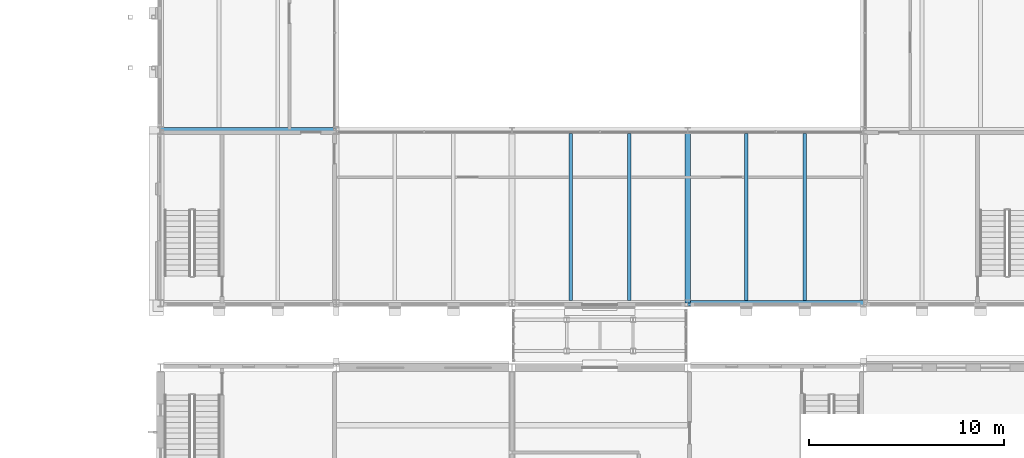
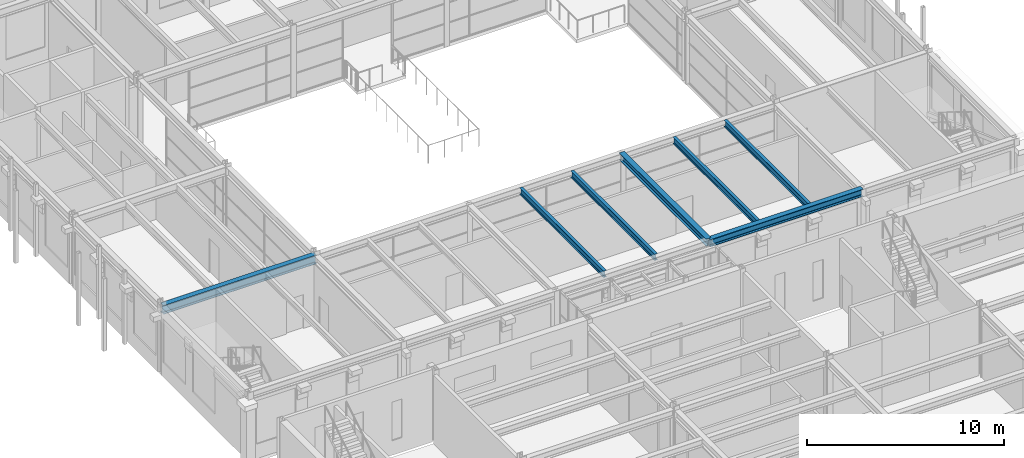
# One storey, part 33 of 153: 7 beams.
"""IFC4 building model written with IfcOpenShell, lengths in metres."""

from ifc_helpers import new_model, si_unit, direction, frame, origin, origin_2d, place, context, subcontext, project, spatial, i_section, extrude, material, material_profile, profile_set, type_object, element, save


model = new_model("IFC4")

# Units and contexts
model_context = context("Model", 3, precision=1e-05, world=origin(), true_north=direction((0.0, 1.0)))
body_context = subcontext(model_context, "Body", "Model", "MODEL_VIEW")
ifc_project = project(units=[si_unit("LENGTHUNIT", "METRE"), si_unit("AREAUNIT", "SQUARE_METRE"), si_unit("VOLUMEUNIT", "CUBIC_METRE"), si_unit("PLANEANGLEUNIT", "RADIAN"), si_unit("MASSUNIT", "GRAM", prefix="KILO")], contexts=[model_context])

# Site, building, storey
site_placement = place(None, origin())
site = spatial("IfcSite", under=ifc_project, at=site_placement, CompositionType="ELEMENT")
building_placement = place(site_placement, origin())
building = spatial("IfcBuilding", under=site, at=building_placement, Name="Kallimachos Central Library", CompositionType="ELEMENT")
storey_placement = place(building_placement, frame((0.0, 0.0, 5.39990234375)))
storey = spatial("IfcBuildingStorey", under=building, at=storey_placement, Name="L01", CompositionType="ELEMENT", Elevation=5.39990234375)

# Beams
ifc_material_1 = material(Name="Steel S355J2", Category="steel")
ifc_material_profile_1 = material_profile(ifc_material_1, i_section(OverallWidth=0.300048828125, OverallDepth=0.449951171875, WebThickness=0.013916015625, FlangeThickness=0.02587890625, FilletRadius=0.027099609375, at=origin_2d()), Name="HEB 450")
ifc_profile_set_1 = profile_set([ifc_material_profile_1], Name="Steel S355J2")
beam_type_1 = type_object("IfcBeamType", Name="HEB 450 beam", PredefinedType="BEAM", material=ifc_profile_set_1)
beam_1_placement = place(storey_placement, frame((92.5, 48.14990234375, 4.025146484375), z_axis=(1.0, 0.0, 0.0), x_axis=(0.0, 1.0, 0.0)))
element("IfcBeam", 1, at=beam_1_placement, inside=storey, type_object=beam_type_1, Name="V4-BEM-L01-044", PredefinedType="BEAM", context=body_context, shape_type="SweptSolid", body=[
    extrude(i_section(OverallWidth=0.300048828125, OverallDepth=0.449951171875, WebThickness=0.013916015625, FlangeThickness=0.02587890625, FilletRadius=0.027099609375, at=origin_2d()), origin(), (0.0, 0.0, 1.0), 9.0),
])
beam_2_placement = place(storey_placement, frame((92.5, 48.14990234375, 4.025146484375), z_axis=(0.0, 1.0, 0.0), x_axis=(-1.0, 0.0, 0.0)))
element("IfcBeam", 2, at=beam_2_placement, inside=storey, type_object=beam_type_1, Name="V4-BEM-L01-052", PredefinedType="BEAM", context=body_context, shape_type="SweptSolid", body=[
    extrude(i_section(OverallWidth=0.300048828125, OverallDepth=0.449951171875, WebThickness=0.013916015625, FlangeThickness=0.02587890625, FilletRadius=0.027099609375, at=origin_2d()), origin(), (0.0, 0.0, 1.0), 8.85009765625),
])
ifc_material_2 = material(Name="Steel S355J2", Category="steel")
ifc_material_profile_2 = material_profile(ifc_material_2, i_section(OverallWidth=0.300048828125, OverallDepth=0.550048828125, WebThickness=0.014892578125, FlangeThickness=0.029052734375, FilletRadius=0.027099609375, at=origin_2d()), Name="HEB 550")
ifc_profile_set_2 = profile_set([ifc_material_profile_2], Name="Steel S355J2")
beam_type_2 = type_object("IfcBeamType", Name="HEB 550 beam", PredefinedType="BEAM", material=ifc_profile_set_2)
beam_3_placement = place(storey_placement, frame((65.5, 57.0, 3.97509765625), z_axis=(1.0, 0.0, 0.0), x_axis=(0.0, 1.0, 0.0)))
element("IfcBeam", 3, at=beam_3_placement, inside=storey, type_object=beam_type_2, Name="V4-BEM-L01-021", PredefinedType="BEAM", context=body_context, shape_type="SweptSolid", body=[
    extrude(i_section(OverallWidth=0.300048828125, OverallDepth=0.550048828125, WebThickness=0.014892578125, FlangeThickness=0.029052734375, FilletRadius=0.027099609375, at=origin_2d()), origin(), (0.0, 0.0, 1.0), 9.0),
])
ifc_material_3 = material(Name="Steel S355J2", Category="steel")
ifc_material_profile_3 = material_profile(ifc_material_3, i_section(OverallWidth=0.179931640625, OverallDepth=0.39990234375, WebThickness=0.008544921875, FlangeThickness=0.013427734375, FilletRadius=0.02099609375, at=origin_2d()), Name="IPE 400")
ifc_profile_set_3 = profile_set([ifc_material_profile_3], Name="Steel S355J2")
beam_type_3 = type_object("IfcBeamType", Name="IPE 400 beam", PredefinedType="BEAM", material=ifc_profile_set_3)
for number, where, z_axis, x_axis, name in (
    (4, (86.5, 48.300048828125, 4.050048828125), (0.0, 1.0, 0.0), (-1.0, 0.0, 0.0), "V4-BEM-L01-058"),
    (5, (89.5, 48.300048828125, 4.050048828125), (0.0, 1.0, 0.0), (-1.0, 0.0, 0.0), "V4-BEM-L01-059"),
    (6, (95.5, 48.300048828125, 4.050048828125), (0.0, 1.0, 0.0), (-1.0, 0.0, 0.0), "V4-BEM-L01-060"),
    (7, (98.5, 48.300048828125, 4.050048828125), (0.0, 1.0, 0.0), (-1.0, 0.0, 0.0), "V4-BEM-L01-061"),
):
    element("IfcBeam", number, at=place(storey_placement, frame(where, z_axis=z_axis, x_axis=x_axis)), inside=storey, type_object=beam_type_3, Name=name, PredefinedType="BEAM", context=body_context, shape_type="SweptSolid", body=[
        extrude(i_section(OverallWidth=0.179931640625, OverallDepth=0.39990234375, WebThickness=0.008544921875, FlangeThickness=0.013427734375, FilletRadius=0.02099609375, at=origin_2d()), origin(), (0.0, 0.0, 1.0), 8.550048828125),
    ])

save(model, "model.ifc")
